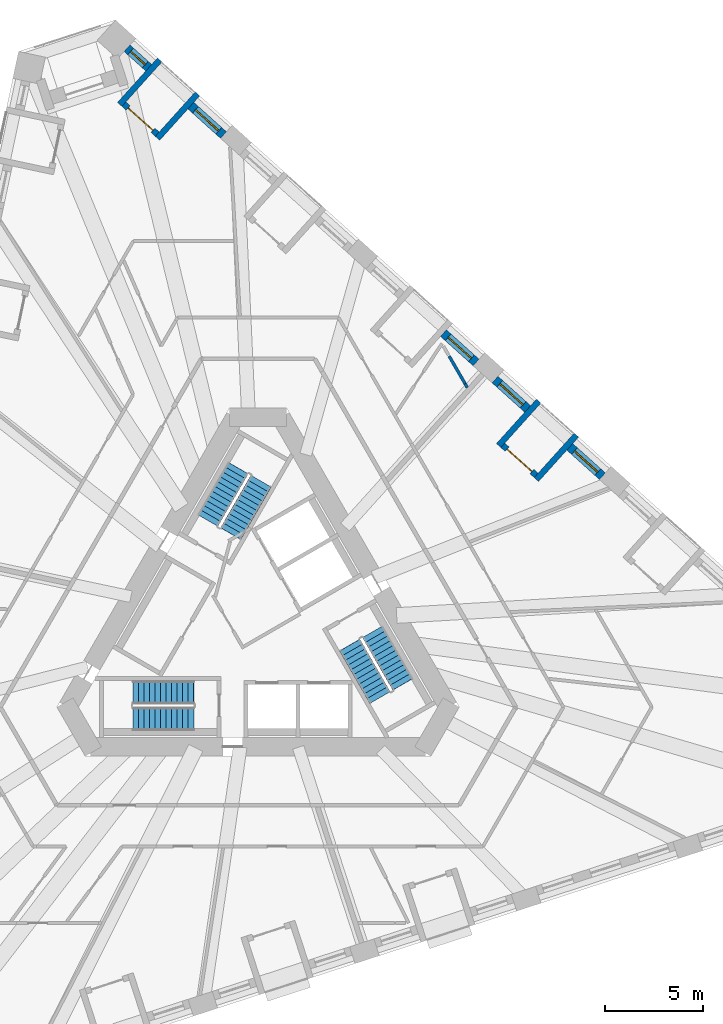
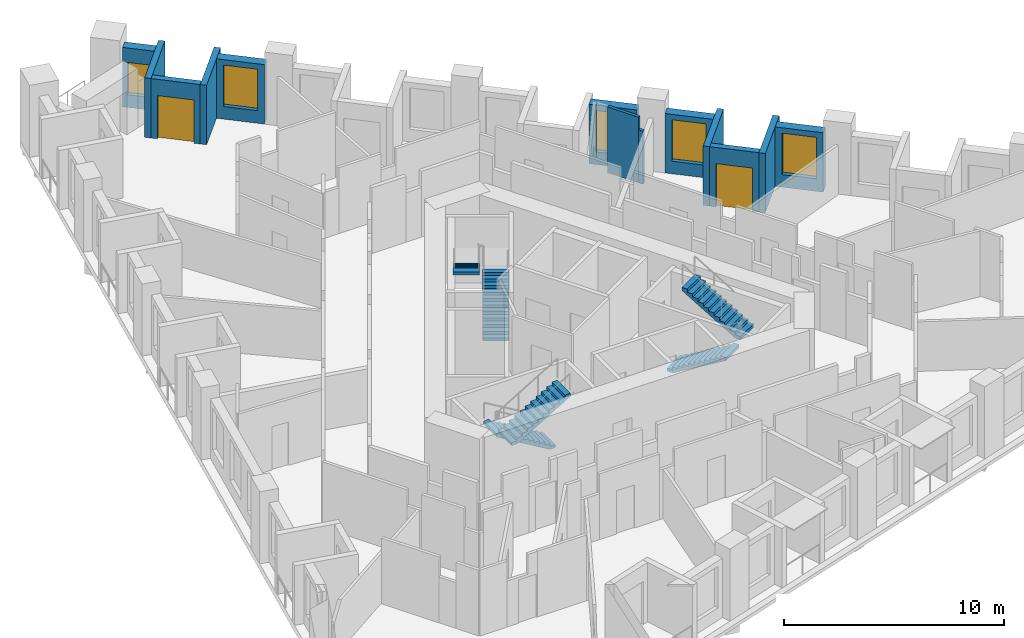
# One storey, part 9 of 12: 13 walls, 6 stair flights, 5 windows, 2 doors, 7 openings, 3 elements without a shape of their own.
"""IFC4 building model written with IfcOpenShell, lengths in metres."""

from ifc_helpers import new_model, si_unit, direction, frame, frame_2d, origin, place, context, subcontext, project, spatial, polyline, rectangle, outline, extrude, material, layer, layer_set, type_object, element, fill, aggregate, save


model = new_model("IFC4")

# Units and contexts
model_context = context("Model", 3, precision=1e-05, world=origin(), true_north=direction((0.0, 1.0)))
body_context = subcontext(model_context, "Body", "Model", "MODEL_VIEW")
ifc_project = project(units=[si_unit("LENGTHUNIT", "METRE"), si_unit("AREAUNIT", "SQUARE_METRE"), si_unit("VOLUMEUNIT", "CUBIC_METRE"), si_unit("PLANEANGLEUNIT", "RADIAN"), si_unit("MASSUNIT", "GRAM", prefix="KILO")], contexts=[model_context])

# Site, building, storey
site_placement = place(None, origin())
site = spatial("IfcSite", under=ifc_project, at=site_placement, CompositionType="ELEMENT")
building_placement = place(site_placement, origin())
building = spatial("IfcBuilding", under=site, at=building_placement, Name="Tramontana Tower", CompositionType="ELEMENT")
storey_placement = place(building_placement, frame((0.0, 0.0, 96.39990234375)))
storey = spatial("IfcBuildingStorey", under=building, at=storey_placement, Name="L21", CompositionType="ELEMENT", Elevation=96.39990234375)

# Wall, opening, window
ifc_material_1 = material(Name="Precast concrete 60 MPa", Category="concrete")
ifc_layer_1 = layer(ifc_material_1, 0.449951171875)
ifc_layer_set_1 = layer_set([ifc_layer_1], Name="Precast concrete 60 MPa, 450 mm")
wall_type_1 = type_object("IfcWallType", Name="EW1 Stone-faced precast wall 450", PredefinedType="SOLIDWALL", material=ifc_layer_set_1)
wall_1_placement = place(storey_placement, frame((17.54541015625, 7.51513671875, 0.0), z_axis=(0.0, 0.0, 1.0), x_axis=(-0.743142151309, 0.669133576311, 0.0)))
wall_1 = element("IfcWall", 1, at=wall_1_placement, inside=storey, type_object=wall_type_1, Name="External wall L21 face 2 bay 3", PredefinedType="SOLIDWALL", context=body_context, shape_type="SweptSolid", body=[
    extrude(rectangle(XDim=2.236572265625, YDim=0.449951171875, at=frame_2d((1.1181640625, 0.0))), origin(), (0.0, 0.0, 1.0), 3.300048828125),
])
opening_1_placement = place(wall_1_placement, frame((0.318359375, 0.0, 0.699951171875)))
opening_1 = element("IfcOpeningElement", 2, at=opening_1_placement, cuts=wall_1, Name="Opening M1", PredefinedType="OPENING", context=body_context, shape_type="SweptSolid", body=[
    extrude(rectangle(XDim=1.60009765625, YDim=2.300048828125, at=frame_2d((0.800048828125, 1.14990234375))), frame((0.0, 0.23486328125, 0.0), z_axis=(0.0, -1.0, 0.0), x_axis=(1.0, 0.0, 0.0)), (0.0, 0.0, 1.0), 0.469970703125),
])
ifc_material_2 = material(Name="Aluminum frame, double glazing unit", Category="aluminium")
window_type_1 = type_object("IfcWindowType", Name="M1 Window 1.6 x 2.3", PartitioningType="SINGLE_PANEL", PredefinedType="WINDOW", material=ifc_material_2)
window_1_placement = place(opening_1_placement, origin())
window_1 = element("IfcWindow", 3, at=window_1_placement, inside=storey, type_object=window_type_1, Name="Window M1 L21 face 2 module 7", OverallHeight=2.300048828125, OverallWidth=1.60009765625, PartitioningType="SINGLE_PANEL", PredefinedType="WINDOW", context=body_context, shape_type="SweptSolid", body=[
    extrude(rectangle(XDim=1.60009765625, YDim=2.300048828125, at=frame_2d((0.800048828125, 1.14990234375))), frame((0.0, 0.030029296875, 0.0), z_axis=(0.0, -1.0, 0.0), x_axis=(1.0, 0.0, 0.0)), (0.0, 0.0, 1.0), 0.06005859375),
])
fill(opening_1, window_1)

wall_2_placement = place(storey_placement, frame((13.738037109375, 10.943359375, 0.0), z_axis=(0.0, 0.0, 1.0), x_axis=(-0.743191019375, 0.669079299276, 0.0)))
wall_2 = element("IfcWall", 4, at=wall_2_placement, inside=storey, type_object=wall_type_1, Name="External wall L21 face 2 bay 3", PredefinedType="SOLIDWALL", context=body_context, shape_type="SweptSolid", body=[
    extrude(rectangle(XDim=2.23681640625, YDim=0.449951171875, at=frame_2d((1.118408203125, 0.0))), origin(), (0.0, 0.0, 1.0), 3.300048828125),
])
opening_2_placement = place(wall_2_placement, frame((0.318359375, 0.0, 0.699951171875)))
opening_2 = element("IfcOpeningElement", 5, at=opening_2_placement, cuts=wall_2, Name="Opening M1", PredefinedType="OPENING", context=body_context, shape_type="SweptSolid", body=[
    extrude(rectangle(XDim=1.60009765625, YDim=2.300048828125, at=frame_2d((0.800048828125, 1.14990234375))), frame((0.0, 0.23486328125, 0.0), z_axis=(0.0, -1.0, 0.0), x_axis=(1.0, 0.0, 0.0)), (0.0, 0.0, 1.0), 0.469970703125),
])
window_2_placement = place(opening_2_placement, origin())
window_2 = element("IfcWindow", 6, at=window_2_placement, inside=storey, type_object=window_type_1, Name="Window M1 L21 face 2 module 9", OverallHeight=2.300048828125, OverallWidth=1.60009765625, PartitioningType="SINGLE_PANEL", PredefinedType="WINDOW", context=body_context, shape_type="SweptSolid", body=[
    extrude(rectangle(XDim=1.60009765625, YDim=2.300048828125, at=frame_2d((0.800048828125, 1.14990234375))), frame((0.0, 0.030029296875, 0.0), z_axis=(0.0, -1.0, 0.0), x_axis=(1.0, 0.0, 0.0)), (0.0, 0.0, 1.0), 0.06005859375),
])
fill(opening_2, window_2)

wall_3_placement = place(storey_placement, frame((11.109619140625, 13.309814453125, 0.0), z_axis=(0.0, 0.0, 1.0), x_axis=(-0.743087873176, 0.669193852885, 0.0)))
wall_3 = element("IfcWall", 7, at=wall_3_placement, inside=storey, type_object=wall_type_1, Name="External wall L21 face 2 bay 4", PredefinedType="SOLIDWALL", context=body_context, shape_type="SweptSolid", body=[
    extrude(rectangle(XDim=2.23681640625, YDim=0.449951171875, at=frame_2d((1.118408203125, 0.0))), origin(), (0.0, 0.0, 1.0), 3.300048828125),
])
opening_3_placement = place(wall_3_placement, frame((0.318359375, 0.0, 0.699951171875)))
opening_3 = element("IfcOpeningElement", 8, at=opening_3_placement, cuts=wall_3, Name="Opening M1", PredefinedType="OPENING", context=body_context, shape_type="SweptSolid", body=[
    extrude(rectangle(XDim=1.60009765625, YDim=2.300048828125, at=frame_2d((0.800048828125, 1.14990234375))), frame((0.0, 0.23486328125, 0.0), z_axis=(0.0, -1.0, 0.0), x_axis=(1.0, 0.0, 0.0)), (0.0, 0.0, 1.0), 0.469970703125),
])
window_3_placement = place(opening_3_placement, origin())
window_3 = element("IfcWindow", 9, at=window_3_placement, inside=storey, type_object=window_type_1, Name="Window M1 L21 face 2 module 10", OverallHeight=2.300048828125, OverallWidth=1.60009765625, PartitioningType="SINGLE_PANEL", PredefinedType="WINDOW", context=body_context, shape_type="SweptSolid", body=[
    extrude(rectangle(XDim=1.60009765625, YDim=2.300048828125, at=frame_2d((0.800048828125, 1.14990234375))), frame((0.0, 0.030029296875, 0.0), z_axis=(0.0, -1.0, 0.0), x_axis=(1.0, 0.0, 0.0)), (0.0, 0.0, 1.0), 0.06005859375),
])
fill(opening_3, window_3)

wall_4_placement = place(storey_placement, frame((-1.761962890625, 24.899658203125, 0.0), z_axis=(0.0, 0.0, 1.0), x_axis=(-0.743191019375, 0.669079299276, 0.0)))
wall_4 = element("IfcWall", 10, at=wall_4_placement, inside=storey, type_object=wall_type_1, Name="External wall L21 face 2 bay 6", PredefinedType="SOLIDWALL", context=body_context, shape_type="SweptSolid", body=[
    extrude(rectangle(XDim=2.23681640625, YDim=0.449951171875, at=frame_2d((1.118408203125, 0.0))), origin(), (0.0, 0.0, 1.0), 3.300048828125),
])
opening_4_placement = place(wall_4_placement, frame((0.318359375, 0.0, 0.699951171875)))
opening_4 = element("IfcOpeningElement", 11, at=opening_4_placement, cuts=wall_4, Name="Opening M1", PredefinedType="OPENING", context=body_context, shape_type="SweptSolid", body=[
    extrude(rectangle(XDim=1.60009765625, YDim=2.300048828125, at=frame_2d((0.800048828125, 1.14990234375))), frame((0.0, 0.23486328125, 0.0), z_axis=(0.0, -1.0, 0.0), x_axis=(1.0, 0.0, 0.0)), (0.0, 0.0, 1.0), 0.469970703125),
])
window_4_placement = place(opening_4_placement, origin())
window_4 = element("IfcWindow", 12, at=window_4_placement, inside=storey, type_object=window_type_1, Name="Window M1 L21 face 2 module 16", OverallHeight=2.300048828125, OverallWidth=1.60009765625, PartitioningType="SINGLE_PANEL", PredefinedType="WINDOW", context=body_context, shape_type="SweptSolid", body=[
    extrude(rectangle(XDim=1.60009765625, YDim=2.300048828125, at=frame_2d((0.800048828125, 1.14990234375))), frame((0.0, 0.030029296875, 0.0), z_axis=(0.0, -1.0, 0.0), x_axis=(1.0, 0.0, 0.0)), (0.0, 0.0, 1.0), 0.06005859375),
])
fill(opening_4, window_4)

wall_5_placement = place(storey_placement, frame((-5.569580078125, 28.327880859375, 0.0), z_axis=(0.0, 0.0, 1.0), x_axis=(-0.743089972274, 0.669191521992, 0.0)))
wall_5 = element("IfcWall", 13, at=wall_5_placement, inside=storey, type_object=wall_type_1, Name="External wall L21 face 2 bay 6", PredefinedType="SOLIDWALL", context=body_context, shape_type="SweptSolid", body=[
    extrude(rectangle(XDim=1.486572265625, YDim=0.449951171875, at=frame_2d((0.7431640625, 0.0))), origin(), (0.0, 0.0, 1.0), 3.300048828125),
])
opening_5_placement = place(wall_5_placement, frame((0.243408203125, 0.0, 0.699951171875)))
opening_5 = element("IfcOpeningElement", 14, at=opening_5_placement, cuts=wall_5, Name="Opening N1L", PredefinedType="OPENING", context=body_context, shape_type="SweptSolid", body=[
    extrude(rectangle(XDim=1.0, YDim=1.800048828125, at=frame_2d((0.5, 0.89990234375))), frame((0.0, 0.23486328125, 0.0), z_axis=(0.0, -1.0, 0.0), x_axis=(1.0, 0.0, 0.0)), (0.0, 0.0, 1.0), 0.469970703125),
])
ifc_material_3 = material(Name="Aluminum frame, double glazing unit", Category="aluminium")
window_type_2 = type_object("IfcWindowType", Name="N1L Window 1 x 1.8", PartitioningType="SINGLE_PANEL", PredefinedType="WINDOW", material=ifc_material_3)
window_5_placement = place(opening_5_placement, origin())
window_5 = element("IfcWindow", 15, at=window_5_placement, inside=storey, type_object=window_type_2, Name="Window N1L L21 face 2 module 18", OverallHeight=1.800048828125, OverallWidth=1.0, PartitioningType="SINGLE_PANEL", PredefinedType="WINDOW", context=body_context, shape_type="SweptSolid", body=[
    extrude(rectangle(XDim=1.0, YDim=1.800048828125, at=frame_2d((0.5, 0.89990234375))), frame((0.0, 0.030029296875, 0.0), z_axis=(0.0, -1.0, 0.0), x_axis=(1.0, 0.0, 0.0)), (0.0, 0.0, 1.0), 0.06005859375),
])
fill(opening_5, window_5)

# Wall, opening, door
ifc_material_4 = material(Name="Precast concrete 60 MPa", Category="concrete")
ifc_layer_2 = layer(ifc_material_4, 0.300048828125)
ifc_layer_set_2 = layer_set([ifc_layer_2], Name="LW1 Stone-faced loggia wall 300")
wall_type_2 = type_object("IfcWallType", Name="LW1 Stone-faced loggia wall 300", PredefinedType="SOLIDWALL", material=ifc_layer_set_2)
wall_6_placement = place(storey_placement, frame((14.17138671875, 7.55908203125, 0.0), z_axis=(0.0, 0.0, 1.0), x_axis=(-0.743134851659, 0.66914168324, 0.0)))
wall_6 = element("IfcWall", 16, at=wall_6_placement, inside=storey, type_object=wall_type_2, Name="Loggia wall L21 G2S2.7", PredefinedType="SOLIDWALL", context=body_context, shape_type="SweptSolid", body=[
    extrude(rectangle(XDim=2.28662109375, YDim=0.300048828125, at=frame_2d((1.143310546875, 0.0))), origin(), (0.0, 0.0, 1.0), 3.300048828125),
])
opening_6_placement = place(wall_6_placement, frame((0.29345703125, 0.0, 0.0)))
opening_6 = element("IfcOpeningElement", 17, at=opening_6_placement, cuts=wall_6, Name="Opening BD-2S2-07", PredefinedType="OPENING", context=body_context, shape_type="SweptSolid", body=[
    extrude(rectangle(XDim=1.699951171875, YDim=2.39990234375, at=frame_2d((0.85009765625, 1.199951171875))), frame((0.0, 0.159912109375, 0.0), z_axis=(0.0, -1.0, 0.0), x_axis=(1.0, 0.0, 0.0)), (0.0, 0.0, 1.0), 0.320068359375),
])
ifc_material_5 = material(Name="Aluminum frame, double glazing unit", Category="aluminium")
door_type = type_object("IfcDoorType", Name="BD1 Sliding door 1.7 x 2.4", OperationType="SLIDING_TO_LEFT", PredefinedType="DOOR", material=ifc_material_5)
door_1_placement = place(opening_6_placement, origin())
door_1 = element("IfcDoor", 18, at=door_1_placement, inside=storey, type_object=door_type, Name="Loggia door L21 G2S2.7", OperationType="SLIDING_TO_LEFT", OverallHeight=2.39990234375, OverallWidth=1.699951171875, PredefinedType="DOOR", context=body_context, shape_type="SweptSolid", body=[
    extrude(rectangle(XDim=1.699951171875, YDim=2.39990234375, at=frame_2d((0.85009765625, 1.199951171875))), frame((0.0, 0.02490234375, 0.0), z_axis=(0.0, -1.0, 0.0), x_axis=(1.0, 0.0, 0.0)), (0.0, 0.0, 1.0), 0.050048828125),
])
fill(opening_6, door_1)

# Walls
for number, where, z_axis, x_axis, name in (
    (19, (16.223388671875, 9.61376953125, 0.0), (0.0, 0.0, 1.0), (-0.669115082961, -0.743158802514, 0.0), "Loggia return L21 G2S2.7a"),
    (20, (14.301025390625, 11.3447265625, 0.0), (0.0, 0.0, 1.0), (-0.669115082961, -0.743158802514, 0.0), "Loggia return L21 G2S2.7b"),
):
    element("IfcWall", number, at=place(storey_placement, frame(where, z_axis=z_axis, x_axis=x_axis)), inside=storey, type_object=wall_type_2, Name=name, PredefinedType="SOLIDWALL", context=body_context, shape_type="SweptSolid", body=[
        extrude(rectangle(XDim=3.050048828125, YDim=0.300048828125, at=frame_2d((1.52490234375, 0.0))), origin(), (0.0, 0.0, 1.0), 3.300048828125),
    ])

# Wall, opening, door
wall_7_placement = place(storey_placement, frame((-5.135986328125, 24.943603515625, 0.0), z_axis=(0.0, 0.0, 1.0), x_axis=(-0.743182653308, 0.669088591909, 0.0)))
wall_7 = element("IfcWall", 21, at=wall_7_placement, inside=storey, type_object=wall_type_2, Name="Loggia wall L21 G2S2.16", PredefinedType="SOLIDWALL", context=body_context, shape_type="SweptSolid", body=[
    extrude(rectangle(XDim=2.28662109375, YDim=0.300048828125, at=frame_2d((1.143310546875, 0.0))), origin(), (0.0, 0.0, 1.0), 3.300048828125),
])
opening_7_placement = place(wall_7_placement, frame((0.29345703125, 0.0, 0.0)))
opening_7 = element("IfcOpeningElement", 22, at=opening_7_placement, cuts=wall_7, Name="Opening BD-2S2-16", PredefinedType="OPENING", context=body_context, shape_type="SweptSolid", body=[
    extrude(rectangle(XDim=1.699951171875, YDim=2.39990234375, at=frame_2d((0.85009765625, 1.199951171875))), frame((0.0, 0.159912109375, 0.0), z_axis=(0.0, -1.0, 0.0), x_axis=(1.0, 0.0, 0.0)), (0.0, 0.0, 1.0), 0.320068359375),
])
door_2_placement = place(opening_7_placement, origin())
door_2 = element("IfcDoor", 23, at=door_2_placement, inside=storey, type_object=door_type, Name="Loggia door L21 G2S2.16", OperationType="SLIDING_TO_LEFT", OverallHeight=2.39990234375, OverallWidth=1.699951171875, PredefinedType="DOOR", context=body_context, shape_type="SweptSolid", body=[
    extrude(rectangle(XDim=1.699951171875, YDim=2.39990234375, at=frame_2d((0.85009765625, 1.199951171875))), frame((0.0, 0.02490234375, 0.0), z_axis=(0.0, -1.0, 0.0), x_axis=(1.0, 0.0, 0.0)), (0.0, 0.0, 1.0), 0.050048828125),
])
fill(opening_7, door_2)

# Walls
for number, where, z_axis, x_axis, name in (
    (24, (-3.083984375, 26.998291015625, 0.0), (0.0, 0.0, 1.0), (-0.669159288314, -0.743118999127, 0.0), "Loggia return L21 G2S2.16a"),
    (25, (-5.00634765625, 28.729248046875, 0.0), (0.0, 0.0, 1.0), (-0.669115082961, -0.743158802514, 0.0), "Loggia return L21 G2S2.16b"),
):
    element("IfcWall", number, at=place(storey_placement, frame(where, z_axis=z_axis, x_axis=x_axis)), inside=storey, type_object=wall_type_2, Name=name, PredefinedType="SOLIDWALL", context=body_context, shape_type="SweptSolid", body=[
        extrude(rectangle(XDim=3.050048828125, YDim=0.300048828125, at=frame_2d((1.52490234375, 0.0))), origin(), (0.0, 0.0, 1.0), 3.300048828125),
    ])
ifc_material_6 = material(Name="Gypsum board partition")
ifc_layer_3 = layer(ifc_material_6, 0.14990234375)
ifc_layer_set_3 = layer_set([ifc_layer_3], Name="PARTITION 150")
wall_type_3 = type_object("IfcWallType", Name="PARTITION 150", PredefinedType="PARTITIONING", material=ifc_layer_set_3)
wall_8_placement = place(storey_placement, frame((9.73681640625, 13.635498046875, 0.0), z_axis=(0.0, 0.0, 1.0), x_axis=(0.499955758317, -0.866050945225, 0.0)))
element("IfcWall", 26, at=wall_8_placement, inside=storey, type_object=wall_type_3, Name="Wall v20-pw29-0", PredefinedType="PARTITIONING", context=body_context, shape_type="SweptSolid", body=[
    extrude(rectangle(XDim=1.630615234375, YDim=0.14990234375, at=frame_2d((0.8154296875, 0.0))), origin(), (0.0, 0.0, 1.0), 3.650146484375),
])
wall_9_placement = place(storey_placement, frame((10.552001953125, 12.223388671875, 0.0), z_axis=(0.0, 0.0, 1.0), x_axis=(0.499785569122, -0.866149170119, 0.0)))
element("IfcWall", 27, at=wall_9_placement, inside=storey, type_object=wall_type_3, Name="Wall v20-pw29-1", PredefinedType="PARTITIONING", context=body_context, shape_type="SweptSolid", body=[
    extrude(rectangle(XDim=0.22314453125, YDim=0.14990234375, at=frame_2d((0.111572265625, 0.0))), origin(), (0.0, 0.0, 1.0), 2.9501953125),
])

# Stair, stair flights
ifc_material_7 = material(Name="Concrete 40 MPa", Category="concrete")
stair_type = type_object("IfcStairType", Name="EXIT STAIR 24 RISERS", PredefinedType="HALF_TURN_STAIR", material=ifc_material_7)
stair_1_placement = place(storey_placement, origin())
stair_1 = element("IfcStair", 28, at=stair_1_placement, inside=storey, type_object=stair_type, Name="L21 Exit stair ST1", PredefinedType="HALF_TURN_STAIR")
ifc_material_8 = material(Name="Concrete 40 MPa", Category="concrete")
ifc_layer_4 = layer(ifc_material_8, 0.14990234375)
ifc_layer_set_4 = layer_set([ifc_layer_4], Name="EXIT STAIR FLIGHT")
stair_flight_type = type_object("IfcStairFlightType", Name="EXIT STAIR FLIGHT", PredefinedType="STRAIGHT", material=ifc_layer_set_4)
stair_flight_1_placement = place(storey_placement, frame((-1.39111328125, 4.590576171875, 0.0), z_axis=(0.0, 0.0, 1.0), x_axis=(0.5, 0.866025403784, 0.0)))
stair_flight_1 = element("IfcStairFlight", 29, at=stair_flight_1_placement, type_object=stair_flight_type, Name="ST1 flight 1", NumberOfRisers=12, NumberOfTreads=11, PredefinedType="STRAIGHT", RiserHeight=0.166666667, TreadLength=0.28, context=body_context, shape_type="SweptSolid", body=[
    extrude(outline(polyline([(-0.006103515625, 0.0), (-0.006103515625, 0.0400390625), (0.0, 0.0400390625), (0.0, 0.166748046875), (0.280029296875, 0.166748046875), (0.280029296875, 0.333251953125), (0.56005859375, 0.333251953125), (0.56005859375, 0.5), (0.840087890625, 0.5), (0.840087890625, 0.666748046875), (1.1201171875, 0.666748046875), (1.1201171875, 0.833251953125), (1.39990234375, 0.833251953125), (1.39990234375, 1.0), (1.679931640625, 1.0), (1.679931640625, 1.166748046875), (1.9599609375, 1.166748046875), (1.9599609375, 1.333251953125), (2.239990234375, 1.333251953125), (2.239990234375, 1.5), (2.52001953125, 1.5), (2.52001953125, 1.666748046875), (2.800048828125, 1.666748046875), (2.800048828125, 1.833251953125), (3.080078125, 1.833251953125), (3.0859375, 1.833251953125), (3.0859375, 1.658935546875), (0.299072265625, 0.0), (-0.006103515625, 0.0)])), frame((0.0, 0.60009765625, 0.0), z_axis=(0.0, -1.0, 0.0), x_axis=(1.0, 0.0, 0.0)), (0.0, 0.0, 1.0), 1.199951171875),
])
stair_flight_2_placement = place(storey_placement, frame((-1.020263671875, 7.932861328125, 2.0), z_axis=(0.0, 0.0, 1.0), x_axis=(-0.5, -0.866025403784, 0.0)))
stair_flight_2 = element("IfcStairFlight", 30, at=stair_flight_2_placement, type_object=stair_flight_type, Name="ST1 flight 2", NumberOfRisers=12, NumberOfTreads=11, PredefinedType="STRAIGHT", RiserHeight=0.166666667, TreadLength=0.28, context=body_context, shape_type="SweptSolid", body=[
    extrude(outline(polyline([(-0.006103515625, 0.0), (-0.006103515625, 0.0400390625), (0.0, 0.0400390625), (0.0, 0.166748046875), (0.280029296875, 0.166748046875), (0.280029296875, 0.333251953125), (0.56005859375, 0.333251953125), (0.56005859375, 0.5), (0.840087890625, 0.5), (0.840087890625, 0.666748046875), (1.1201171875, 0.666748046875), (1.1201171875, 0.833251953125), (1.39990234375, 0.833251953125), (1.39990234375, 1.0), (1.679931640625, 1.0), (1.679931640625, 1.166748046875), (1.9599609375, 1.166748046875), (1.9599609375, 1.333251953125), (2.239990234375, 1.333251953125), (2.239990234375, 1.5), (2.52001953125, 1.5), (2.52001953125, 1.666748046875), (2.800048828125, 1.666748046875), (2.800048828125, 1.833251953125), (3.080078125, 1.833251953125), (3.0859375, 1.833251953125), (3.0859375, 1.658935546875), (0.299072265625, 0.0), (-0.006103515625, 0.0)])), frame((0.0, 0.60009765625, 0.0), z_axis=(0.0, -1.0, 0.0), x_axis=(1.0, 0.0, 0.0)), (0.0, 0.0, 1.0), 1.199951171875),
])
aggregate(stair_1, [stair_flight_1, stair_flight_2])

stair_2_placement = place(storey_placement, origin())
stair_2 = element("IfcStair", 31, at=stair_2_placement, inside=storey, type_object=stair_type, Name="L21 Exit stair ST2", PredefinedType="HALF_TURN_STAIR")
stair_flight_3_placement = place(storey_placement, frame((-3.280029296875, -3.5, 0.0), z_axis=(0.0, 0.0, 1.0), x_axis=(-1.0, 0.0, 0.0)))
stair_flight_3 = element("IfcStairFlight", 32, at=stair_flight_3_placement, type_object=stair_flight_type, Name="ST2 flight 1", NumberOfRisers=12, NumberOfTreads=11, PredefinedType="STRAIGHT", RiserHeight=0.166666667, TreadLength=0.28, context=body_context, shape_type="SweptSolid", body=[
    extrude(outline(polyline([(-0.006103515625, 0.0), (-0.006103515625, 0.0400390625), (0.0, 0.0400390625), (0.0, 0.166748046875), (0.280029296875, 0.166748046875), (0.280029296875, 0.333251953125), (0.56005859375, 0.333251953125), (0.56005859375, 0.5), (0.840087890625, 0.5), (0.840087890625, 0.666748046875), (1.1201171875, 0.666748046875), (1.1201171875, 0.833251953125), (1.39990234375, 0.833251953125), (1.39990234375, 1.0), (1.679931640625, 1.0), (1.679931640625, 1.166748046875), (1.9599609375, 1.166748046875), (1.9599609375, 1.333251953125), (2.239990234375, 1.333251953125), (2.239990234375, 1.5), (2.52001953125, 1.5), (2.52001953125, 1.666748046875), (2.800048828125, 1.666748046875), (2.800048828125, 1.833251953125), (3.080078125, 1.833251953125), (3.0859375, 1.833251953125), (3.0859375, 1.658935546875), (0.299072265625, 0.0), (-0.006103515625, 0.0)])), frame((0.0, 0.60009765625, 0.0), z_axis=(0.0, -1.0, 0.0), x_axis=(1.0, 0.0, 0.0)), (0.0, 0.0, 1.0), 1.199951171875),
])
stair_flight_4_placement = place(storey_placement, frame((-6.360107421875, -4.85009765625, 2.0), z_axis=(0.0, 0.0, 1.0), x_axis=(1.0, 0.0, 0.0)))
stair_flight_4 = element("IfcStairFlight", 33, at=stair_flight_4_placement, type_object=stair_flight_type, Name="ST2 flight 2", NumberOfRisers=12, NumberOfTreads=11, PredefinedType="STRAIGHT", RiserHeight=0.166666667, TreadLength=0.28, context=body_context, shape_type="SweptSolid", body=[
    extrude(outline(polyline([(-0.006103515625, 0.0), (-0.006103515625, 0.0400390625), (0.0, 0.0400390625), (0.0, 0.166748046875), (0.280029296875, 0.166748046875), (0.280029296875, 0.333251953125), (0.56005859375, 0.333251953125), (0.56005859375, 0.5), (0.840087890625, 0.5), (0.840087890625, 0.666748046875), (1.1201171875, 0.666748046875), (1.1201171875, 0.833251953125), (1.39990234375, 0.833251953125), (1.39990234375, 1.0), (1.679931640625, 1.0), (1.679931640625, 1.166748046875), (1.9599609375, 1.166748046875), (1.9599609375, 1.333251953125), (2.239990234375, 1.333251953125), (2.239990234375, 1.5), (2.52001953125, 1.5), (2.52001953125, 1.666748046875), (2.800048828125, 1.666748046875), (2.800048828125, 1.833251953125), (3.080078125, 1.833251953125), (3.0859375, 1.833251953125), (3.0859375, 1.658935546875), (0.299072265625, 0.0), (-0.006103515625, 0.0)])), frame((0.0, 0.60009765625, 0.0), z_axis=(0.0, -1.0, 0.0), x_axis=(1.0, 0.0, 0.0)), (0.0, 0.0, 1.0), 1.199951171875),
])
aggregate(stair_2, [stair_flight_3, stair_flight_4])

stair_3_placement = place(storey_placement, origin())
stair_3 = element("IfcStair", 34, at=stair_3_placement, inside=storey, type_object=stair_type, Name="L21 Exit stair ST3", PredefinedType="HALF_TURN_STAIR")
stair_flight_5_placement = place(storey_placement, frame((4.671142578125, -1.090576171875, 0.0), z_axis=(0.0, 0.0, 1.0), x_axis=(0.5, -0.866025403784, 0.0)))
stair_flight_5 = element("IfcStairFlight", 35, at=stair_flight_5_placement, type_object=stair_flight_type, Name="ST3 flight 1", NumberOfRisers=12, NumberOfTreads=11, PredefinedType="STRAIGHT", RiserHeight=0.166666667, TreadLength=0.28, context=body_context, shape_type="SweptSolid", body=[
    extrude(outline(polyline([(-0.006103515625, 0.0), (-0.006103515625, 0.0400390625), (0.0, 0.0400390625), (0.0, 0.166748046875), (0.280029296875, 0.166748046875), (0.280029296875, 0.333251953125), (0.56005859375, 0.333251953125), (0.56005859375, 0.5), (0.840087890625, 0.5), (0.840087890625, 0.666748046875), (1.1201171875, 0.666748046875), (1.1201171875, 0.833251953125), (1.39990234375, 0.833251953125), (1.39990234375, 1.0), (1.679931640625, 1.0), (1.679931640625, 1.166748046875), (1.9599609375, 1.166748046875), (1.9599609375, 1.333251953125), (2.239990234375, 1.333251953125), (2.239990234375, 1.5), (2.52001953125, 1.5), (2.52001953125, 1.666748046875), (2.800048828125, 1.666748046875), (2.800048828125, 1.833251953125), (3.080078125, 1.833251953125), (3.0859375, 1.833251953125), (3.0859375, 1.658935546875), (0.299072265625, 0.0), (-0.006103515625, 0.0)])), frame((0.0, 0.60009765625, 0.0), z_axis=(0.0, -1.0, 0.0), x_axis=(1.0, 0.0, 0.0)), (0.0, 0.0, 1.0), 1.199951171875),
])
stair_flight_6_placement = place(storey_placement, frame((7.380126953125, -3.0830078125, 2.0), z_axis=(0.0, 0.0, 1.0), x_axis=(-0.5, 0.866025403784, 0.0)))
stair_flight_6 = element("IfcStairFlight", 36, at=stair_flight_6_placement, type_object=stair_flight_type, Name="ST3 flight 2", NumberOfRisers=12, NumberOfTreads=11, PredefinedType="STRAIGHT", RiserHeight=0.166666667, TreadLength=0.28, context=body_context, shape_type="SweptSolid", body=[
    extrude(outline(polyline([(-0.006103515625, 0.0), (-0.006103515625, 0.0400390625), (0.0, 0.0400390625), (0.0, 0.166748046875), (0.280029296875, 0.166748046875), (0.280029296875, 0.333251953125), (0.56005859375, 0.333251953125), (0.56005859375, 0.5), (0.840087890625, 0.5), (0.840087890625, 0.666748046875), (1.1201171875, 0.666748046875), (1.1201171875, 0.833251953125), (1.39990234375, 0.833251953125), (1.39990234375, 1.0), (1.679931640625, 1.0), (1.679931640625, 1.166748046875), (1.9599609375, 1.166748046875), (1.9599609375, 1.333251953125), (2.239990234375, 1.333251953125), (2.239990234375, 1.5), (2.52001953125, 1.5), (2.52001953125, 1.666748046875), (2.800048828125, 1.666748046875), (2.800048828125, 1.833251953125), (3.080078125, 1.833251953125), (3.0859375, 1.833251953125), (3.0859375, 1.658935546875), (0.299072265625, 0.0), (-0.006103515625, 0.0)])), frame((0.0, 0.60009765625, 0.0), z_axis=(0.0, -1.0, 0.0), x_axis=(1.0, 0.0, 0.0)), (0.0, 0.0, 1.0), 1.199951171875),
])
aggregate(stair_3, [stair_flight_5, stair_flight_6])

save(model, "model.ifc")
